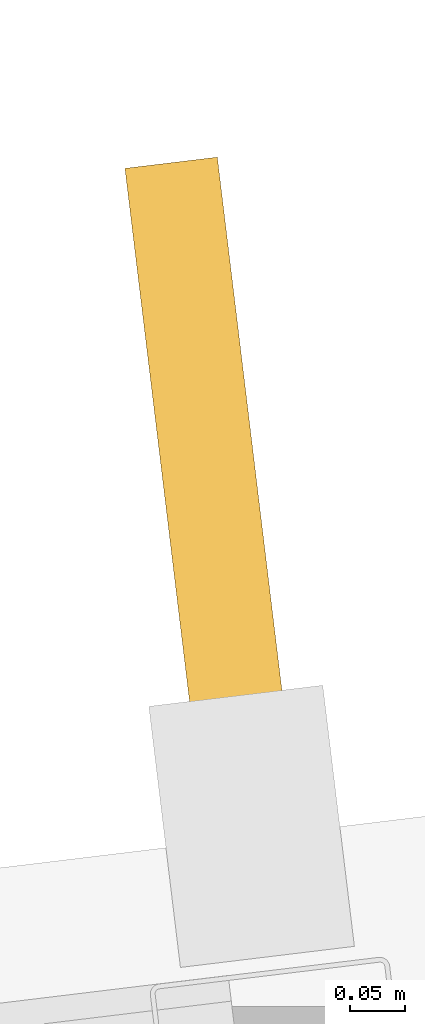
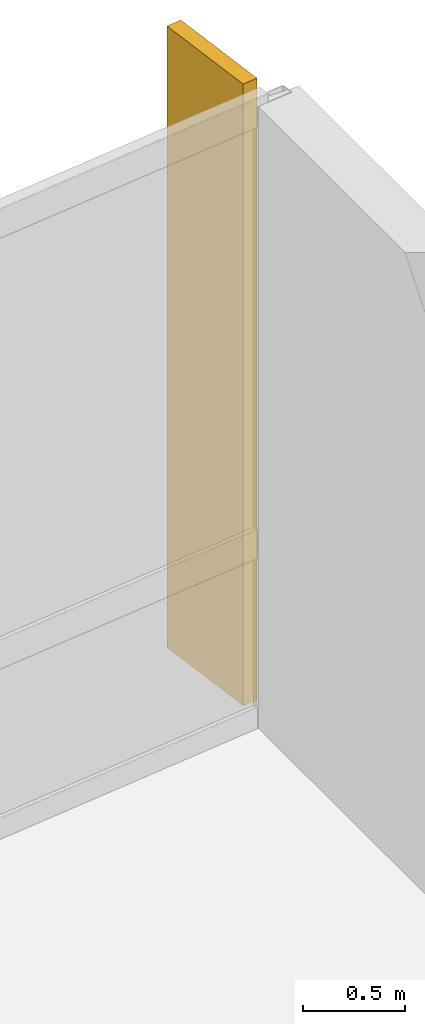
# One storey, part 18 of 18: 1 shading device.
"""IFC4 building model written with IfcOpenShell, lengths in metres."""

import ifcopenshell
import ifcopenshell.guid

model = None  # the IFC model being written
_history = None  # IfcOwnerHistory: only IFC2X3 demands one
_inside = {}  # id of a spatial element -> (the spatial element, [elements in it])
_under = {}  # id of a project, library or spatial element -> (it, [spatial elements below it])
_declared = {}  # id of a project -> (the project, [libraries it declares])
_typed = {}  # id of a type object -> (the type object, [elements of that type])
_made_of = {}  # id of a material, layer set ... -> (it, [elements and type objects made of it])


def new_model(schema):
    """Start an empty IFC model of exactly this schema.

    Asked for "IFC4X3", IfcOpenShell would pick the latest addendum, in which some entities
    have other attributes; the version numbers below select the first issue.
    IFC2X3 requires an IfcOwnerHistory on every rooted entity: one is made here for all.
    """
    global model, _history
    if schema == "IFC4X3":
        model = ifcopenshell.file(schema_version=(4, 3, 0, 0))
    else:
        model = ifcopenshell.file(schema=schema)
    _inside.clear()
    _under.clear()
    _declared.clear()
    _typed.clear()
    _made_of.clear()
    _history = None
    if model.schema == "IFC2X3":
        org = make("IfcOrganization", Name="unknown")
        user = make(
            "IfcPersonAndOrganization",
            ThePerson=make("IfcPerson", FamilyName="unknown"),
            TheOrganization=org,
        )
        app = make(
            "IfcApplication",
            ApplicationDeveloper=org,
            Version="unknown",
            ApplicationFullName="unknown",
            ApplicationIdentifier="unknown",
        )
        _history = make(
            "IfcOwnerHistory",
            OwningUser=user,
            OwningApplication=app,
            ChangeAction="ADDED",
            CreationDate=0,
        )
    return model


def make(cls, **values):
    """One entity of the class cls with the attributes given. An attribute that is None is left unset."""
    return model.create_entity(
        cls, **{name: value for name, value in values.items() if value is not None}
    )


def rooted(cls, **values):
    """An entity with a GlobalId (a new one), such as an element, a storey or a relation."""
    return make(cls, GlobalId=ifcopenshell.guid.new(), OwnerHistory=_history, **values)


def si_unit(unit_type, name, prefix=None):
    """IfcSIUnit, for example si_unit("LENGTHUNIT", "METRE", prefix="MILLI")."""
    return make("IfcSIUnit", UnitType=unit_type, Prefix=prefix, Name=name)


def assignment(units):
    """IfcUnitAssignment: the units of a project."""
    return None if units is None else make("IfcUnitAssignment", Units=units)


def point(xyz):
    """IfcCartesianPoint."""
    return None if xyz is None else make("IfcCartesianPoint", Coordinates=xyz)


def direction(xyz):
    """IfcDirection."""
    return None if xyz is None else make("IfcDirection", DirectionRatios=xyz)


def frame(location, z_axis=None, x_axis=None):
    """IfcAxis2Placement3D, a coordinate frame: its origin and axes. An axis left out is left unset."""
    return make(
        "IfcAxis2Placement3D",
        Location=point(location),
        Axis=direction(z_axis),
        RefDirection=direction(x_axis),
    )


def frame_2d(location, x_axis=None):
    """IfcAxis2Placement2D, a coordinate frame in the plane: its origin and x axis."""
    return make(
        "IfcAxis2Placement2D", Location=point(location), RefDirection=direction(x_axis)
    )


def origin():
    """The frame at (0, 0, 0) with its axes left unset."""
    return frame((0.0, 0.0, 0.0))


def origin_2d():
    """The frame at (0, 0) in the plane with its x axis left unset."""
    return frame_2d((0.0, 0.0))


def place(relative_to, where):
    """IfcLocalPlacement: puts the frame where relative to a parent placement (None: the world)."""
    return make(
        "IfcLocalPlacement", PlacementRelTo=relative_to, RelativePlacement=where
    )


def context(
    kind, dimensions, precision=None, world=None, true_north=None, identifier=None
):
    """IfcGeometricRepresentationContext, for example the 3D "Model" context."""
    return make(
        "IfcGeometricRepresentationContext",
        ContextIdentifier=identifier,
        ContextType=kind,
        CoordinateSpaceDimension=dimensions,
        Precision=precision,
        WorldCoordinateSystem=world,
        TrueNorth=true_north,
    )


def subcontext(parent, identifier, kind, view, scale=None):
    """IfcGeometricRepresentationSubContext, for example "Body" below "Model"."""
    return make(
        "IfcGeometricRepresentationSubContext",
        ContextIdentifier=identifier,
        ContextType=kind,
        ParentContext=parent,
        TargetScale=scale,
        TargetView=view,
    )


def project(units=None, contexts=None):
    """IfcProject with its units and contexts."""
    return rooted(
        "IfcProject",
        Name="project",
        RepresentationContexts=contexts,
        UnitsInContext=assignment(units),
    )


def spatial(cls, under=None, at=None, **own):
    """A site, building, storey or space (cls), placed at a placement, below another one or the project."""
    s = rooted(cls, ObjectPlacement=at, **own)
    if under is not None:
        _under.setdefault(under.id(), (under, []))[1].append(s)
    return s


def profile(cls, at=None, kind="AREA", **sizes):
    """A parametric profile (cls). Its sizes go by their IFC names, for example OverallWidth=200.0."""
    return make(cls, ProfileType=kind, Position=at, **sizes)


def rectangle(**sizes):
    """IfcRectangleProfileDef."""
    return profile("IfcRectangleProfileDef", **sizes)


def extrude(swept, where, along, depth):
    """IfcExtrudedAreaSolid: the profile swept, set in the frame where, extruded along a direction by depth."""
    return make(
        "IfcExtrudedAreaSolid",
        SweptArea=swept,
        Position=where,
        ExtrudedDirection=direction(along),
        Depth=depth,
    )


def shape(context_of_items, identifier, shape_type, items):
    """IfcShapeRepresentation: the items that make up one representation, for example the "Body"."""
    return make(
        "IfcShapeRepresentation",
        ContextOfItems=context_of_items,
        RepresentationIdentifier=identifier,
        RepresentationType=shape_type,
        Items=items,
    )


def material(Name=None, Category=None):
    """IfcMaterial."""
    return make("IfcMaterial", Name=Name, Category=Category)


def layer(
    of_material, thickness, ventilated=None, Name=None, Category=None, Priority=None
):
    """IfcMaterialLayer: one layer of a wall or slab, of a material (None: an air gap)."""
    return make(
        "IfcMaterialLayer",
        Material=of_material,
        LayerThickness=thickness,
        IsVentilated=ventilated,
        Name=Name,
        Category=Category,
        Priority=Priority,
    )


def layer_set(layers, Name=None):
    """IfcMaterialLayerSet."""
    return make("IfcMaterialLayerSet", MaterialLayers=layers, LayerSetName=Name)


def made_of(thing, what):
    """Note that an element or type object is made of a material, layer set ...; save() writes the relation."""
    if what is not None:
        _made_of.setdefault(what.id(), (what, []))[1].append(thing)
    return thing


def type_object(cls, material=None, **own):
    """A type object (cls), such as IfcWallType, which elements share."""
    return made_of(rooted(cls, **own), material)


def element(
    cls,
    number,
    at=None,
    inside=None,
    cuts=None,
    type_object=None,
    material=None,
    context=None,
    identifier="Body",
    shape_type=None,
    held_by="IfcProductDefinitionShape",
    body=None,
    shapes=None,
    **own,
):
    """One element of the class cls, such as IfcWall. Its Tag is "e" and its number.

    at: its placement. inside: the storey or other place that contains it. cuts: it is an
    opening in that element (IfcRelVoidsElement). A single representation is given by context,
    identifier, shape_type and body (its items); several are given by shapes. held_by: the class
    of the entity that holds the representations. save() writes the other relations.
    """
    e = rooted(cls, Tag="e%d" % number, ObjectPlacement=at, **own)
    if body is not None:
        shapes = [shape(context, identifier, shape_type, body)]
    if shapes is not None:
        e.Representation = make(held_by, Representations=shapes)
    if inside is not None:
        _inside.setdefault(inside.id(), (inside, []))[1].append(e)
    if cuts is not None:
        rooted(
            "IfcRelVoidsElement", RelatingBuildingElement=cuts, RelatedOpeningElement=e
        )
    if type_object is not None:
        _typed.setdefault(type_object.id(), (type_object, []))[1].append(e)
    return made_of(e, material)


def aggregate(whole, parts):
    """IfcRelAggregates: a whole, such as a stair, and the parts it consists of."""
    return rooted("IfcRelAggregates", RelatingObject=whole, RelatedObjects=parts)


def save(model, path):
    """Write the relations noted so far, then the file.

    IfcRelAggregates (storeys below a building ...), IfcRelContainedInSpatialStructure (elements
    in a storey), IfcRelDefinesByType, IfcRelAssociatesMaterial and IfcRelDeclares: one each for
    every whole, place, type object, material and project.
    """
    for whole, parts in _under.values():
        aggregate(whole, parts)
    for where, things in _inside.values():
        rooted(
            "IfcRelContainedInSpatialStructure",
            RelatedElements=things,
            RelatingStructure=where,
        )
    for kind, things in _typed.values():
        rooted("IfcRelDefinesByType", RelatedObjects=things, RelatingType=kind)
    for what, things in _made_of.values():
        rooted("IfcRelAssociatesMaterial", RelatedObjects=things, RelatingMaterial=what)
    for by, libraries in _declared.values():
        rooted("IfcRelDeclares", RelatingContext=by, RelatedDefinitions=libraries)
    model.write(path)


model = new_model("IFC4")

# Units and contexts
model_context = context("Model", 3, precision=1e-05, world=origin(), true_north=direction((0.0, 1.0)))
body_context = subcontext(model_context, "Body", "Model", "MODEL_VIEW")
ifc_project = project(units=[si_unit("LENGTHUNIT", "METRE"), si_unit("AREAUNIT", "SQUARE_METRE"), si_unit("VOLUMEUNIT", "CUBIC_METRE"), si_unit("PLANEANGLEUNIT", "RADIAN"), si_unit("MASSUNIT", "GRAM", prefix="KILO")], contexts=[model_context])

# Site, building, storey
site_placement = place(None, origin())
site = spatial("IfcSite", under=ifc_project, at=site_placement, CompositionType="ELEMENT")
building_placement = place(site_placement, origin())
building = spatial("IfcBuilding", under=site, at=building_placement, Name="Varnakote Quay Hospital", CompositionType="ELEMENT")
storey_placement = place(building_placement, frame((0.0, 0.0, 154.699951171875)))
storey = spatial("IfcBuildingStorey", under=building, at=storey_placement, Name="L38", CompositionType="ELEMENT", Elevation=154.699951171875)

# Shading device
ifc_material = material(Name="Anodised aluminium 6063-T6 Bronze", Category="aluminium")
ifc_layer = layer(ifc_material, 0.0849609375)
ifc_layer_set = layer_set([ifc_layer], Name="Anodised aluminium 6063-T6 Bronze")
shading_device_type = type_object("IfcShadingDeviceType", Name="SHD-BRONZE-FIN-620", PredefinedType="USERDEFINED", material=ifc_layer_set)
shading_device_placement = place(storey_placement, frame((53.9462890625, 33.381591796875, 0.0), z_axis=(0.0, 0.0, 1.0), x_axis=(0.120310105847, -0.992736358975, 0.0)))
element("IfcShadingDevice", 1, at=shading_device_placement, inside=storey, type_object=shading_device_type, Name="L38 Anodised Bronze Vertical Shading FIN", ObjectType="FIN", PredefinedType="USERDEFINED", context=body_context, shape_type="SweptSolid", body=[
    extrude(rectangle(XDim=0.6201171875, YDim=0.0849609375, at=origin_2d()), origin(), (0.0, 0.0, 1.0), 3.7099609375),
])

save(model, "model.ifc")
